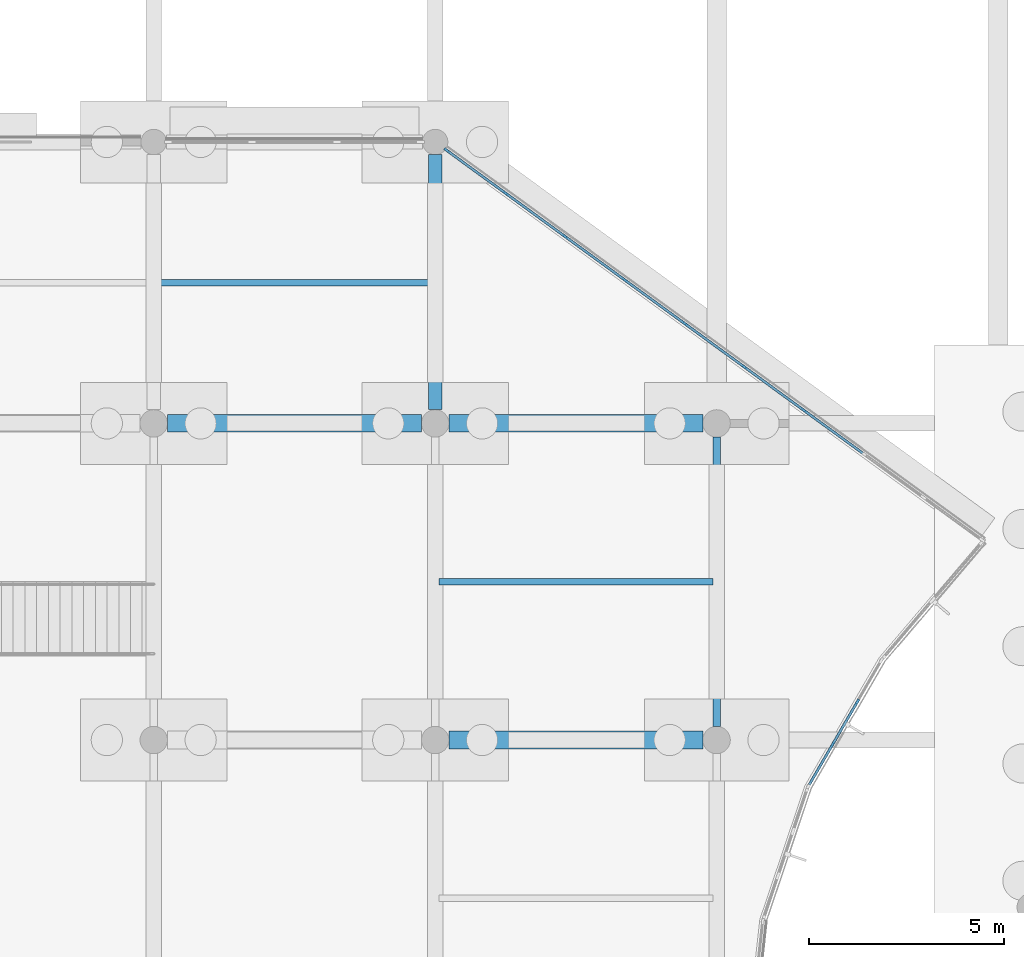
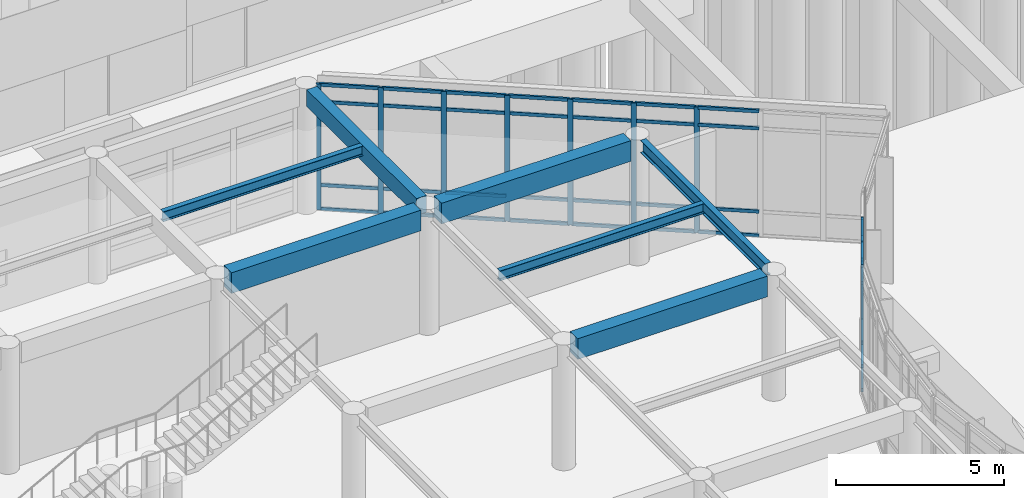
# One storey, part 26 of 103: 45 members, 7 beams, 2 elements without a shape of their own.
"""IFC4 building model written with IfcOpenShell, lengths in metres."""

from ifc_helpers import new_model, si_unit, direction, frame, origin, origin_2d, place, context, subcontext, project, spatial, rectangle, i_section, extrude, material, layer, layer_set, material_profile, profile_set, type_object, element, aggregate, save


model = new_model("IFC4")

# Units and contexts
model_context = context("Model", 3, precision=1e-05, world=origin(), true_north=direction((0.0, 1.0)))
body_context = subcontext(model_context, "Body", "Model", "MODEL_VIEW")
ifc_project = project(units=[si_unit("LENGTHUNIT", "METRE"), si_unit("AREAUNIT", "SQUARE_METRE"), si_unit("VOLUMEUNIT", "CUBIC_METRE"), si_unit("PLANEANGLEUNIT", "RADIAN"), si_unit("MASSUNIT", "GRAM", prefix="KILO")], contexts=[model_context])

# Site, building, storey
site_placement = place(None, origin())
site = spatial("IfcSite", under=ifc_project, at=site_placement, CompositionType="ELEMENT")
building_placement = place(site_placement, origin())
building = spatial("IfcBuilding", under=site, at=building_placement, Name="Namkhue Oval Health Centre", CompositionType="ELEMENT")
storey_placement = place(building_placement, origin())
storey = spatial("IfcBuildingStorey", under=building, at=storey_placement, Name="L00", CompositionType="ELEMENT", Elevation=0.0)

# Curtain wall, members
ifc_material_1 = material(Name="Anodised aluminium EN AW-6063 T6", Category="aluminium")
ifc_layer_1 = layer(ifc_material_1, 0.159912109375)
ifc_layer_set_1 = layer_set([ifc_layer_1], Name="Anodised aluminium EN AW-6063 T6")
curtain_wall_type_1 = type_object("IfcCurtainWallType", Name="UNITISED CURTAIN WALL M1500", PredefinedType="NOTDEFINED", material=ifc_layer_set_1)
curtain_wall_1_placement = place(storey_placement, origin())
curtain_wall_1 = element("IfcCurtainWall", 1, at=curtain_wall_1_placement, inside=storey, type_object=curtain_wall_type_1, Name="Volume V1 L00 Unitised Curtain Wall 9", PredefinedType="NOTDEFINED")
ifc_material_profile_1 = material_profile(ifc_material_1, rectangle(XDim=0.06494140625, YDim=0.159912109375, at=origin_2d()), Name="ALU 65x160")
ifc_profile_set_1 = profile_set([ifc_material_profile_1], Name="Anodised aluminium EN AW-6063 T6")
member_type_1 = type_object("IfcMemberType", Name="CURTAIN WALL MULLION 65X160", PredefinedType="MULLION", material=ifc_profile_set_1)
member_1_placement = place(storey_placement, frame((67.768310546875, 67.38671875, 0.0), z_axis=(0.0, 0.0, 1.0), x_axis=(-0.865008156752, 0.501757798896, 0.0)))
member_1 = element("IfcMember", 2, at=member_1_placement, type_object=member_type_1, Name="CW-03 mullion 2", PredefinedType="MULLION", context=body_context, shape_type="SweptSolid", body=[
    extrude(rectangle(XDim=0.06494140625, YDim=0.159912109375, at=origin_2d()), origin(), (0.0, 0.0, 1.0), 4.56494140625),
])
member_2_placement = place(storey_placement, frame((68.398681640625, 68.473388671875, 0.0), z_axis=(0.0, 0.0, 1.0), x_axis=(-0.865008156752, 0.501757798896, 0.0)))
member_2 = element("IfcMember", 3, at=member_2_placement, type_object=member_type_1, Name="CW-03 mullion 3", PredefinedType="MULLION", context=body_context, shape_type="SweptSolid", body=[
    extrude(rectangle(XDim=0.06494140625, YDim=0.159912109375, at=origin_2d()), origin(), (0.0, 0.0, 1.0), 4.56494140625),
])

ifc_layer_2 = layer(ifc_material_1, 0.159912109375)
ifc_layer_set_2 = layer_set([ifc_layer_2], Name="Anodised aluminium EN AW-6063 T6")
curtain_wall_type_2 = type_object("IfcCurtainWallType", Name="UNITISED CURTAIN WALL M1800", PredefinedType="NOTDEFINED", material=ifc_layer_set_2)
curtain_wall_2_placement = place(storey_placement, origin())
curtain_wall_2 = element("IfcCurtainWall", 4, at=curtain_wall_2_placement, inside=storey, type_object=curtain_wall_type_2, Name="Volume V1 L00 Unitised Curtain Wall 11", PredefinedType="NOTDEFINED")
member_3_placement = place(storey_placement, frame((67.03564453125, 75.932373046875, 0.0), z_axis=(0.0, 0.0, 1.0), x_axis=(-0.588476942894, -0.808513999682, 0.0)))
member_3 = element("IfcMember", 5, at=member_3_placement, type_object=member_type_1, Name="CW-05 mullion 4", PredefinedType="MULLION", context=body_context, shape_type="SweptSolid", body=[
    extrude(rectangle(XDim=0.06494140625, YDim=0.159912109375, at=origin_2d()), origin(), (0.0, 0.0, 1.0), 4.56494140625),
])
member_4_placement = place(storey_placement, frame((65.508056640625, 77.0439453125, 0.0), z_axis=(0.0, 0.0, 1.0), x_axis=(-0.588476942894, -0.808513999682, 0.0)))
member_4 = element("IfcMember", 6, at=member_4_placement, type_object=member_type_1, Name="CW-05 mullion 5", PredefinedType="MULLION", context=body_context, shape_type="SweptSolid", body=[
    extrude(rectangle(XDim=0.06494140625, YDim=0.159912109375, at=origin_2d()), origin(), (0.0, 0.0, 1.0), 4.56494140625),
])
member_5_placement = place(storey_placement, frame((63.980712890625, 78.15576171875, 0.0), z_axis=(0.0, 0.0, 1.0), x_axis=(-0.588476942894, -0.808513999682, 0.0)))
member_5 = element("IfcMember", 7, at=member_5_placement, type_object=member_type_1, Name="CW-05 mullion 6", PredefinedType="MULLION", context=body_context, shape_type="SweptSolid", body=[
    extrude(rectangle(XDim=0.06494140625, YDim=0.159912109375, at=origin_2d()), origin(), (0.0, 0.0, 1.0), 4.56494140625),
])
member_6_placement = place(storey_placement, frame((62.453125, 79.267578125, 0.0), z_axis=(0.0, 0.0, 1.0), x_axis=(-0.588476942894, -0.808513999682, 0.0)))
member_6 = element("IfcMember", 8, at=member_6_placement, type_object=member_type_1, Name="CW-05 mullion 7", PredefinedType="MULLION", context=body_context, shape_type="SweptSolid", body=[
    extrude(rectangle(XDim=0.06494140625, YDim=0.159912109375, at=origin_2d()), origin(), (0.0, 0.0, 1.0), 4.56494140625),
])
member_7_placement = place(storey_placement, frame((60.92578125, 80.37939453125, 0.0), z_axis=(0.0, 0.0, 1.0), x_axis=(-0.588476942894, -0.808513999682, 0.0)))
member_7 = element("IfcMember", 9, at=member_7_placement, type_object=member_type_1, Name="CW-05 mullion 8", PredefinedType="MULLION", context=body_context, shape_type="SweptSolid", body=[
    extrude(rectangle(XDim=0.06494140625, YDim=0.159912109375, at=origin_2d()), origin(), (0.0, 0.0, 1.0), 4.56494140625),
])
member_8_placement = place(storey_placement, frame((59.398193359375, 81.4912109375, 0.0), z_axis=(0.0, 0.0, 1.0), x_axis=(-0.588476942894, -0.808513999682, 0.0)))
member_8 = element("IfcMember", 10, at=member_8_placement, type_object=member_type_1, Name="CW-05 mullion 9", PredefinedType="MULLION", context=body_context, shape_type="SweptSolid", body=[
    extrude(rectangle(XDim=0.06494140625, YDim=0.159912109375, at=origin_2d()), origin(), (0.0, 0.0, 1.0), 4.56494140625),
])
member_9_placement = place(storey_placement, frame((57.89697265625, 82.583740234375, 0.0), z_axis=(0.0, 0.0, 1.0), x_axis=(-0.588476942894, -0.808513999682, 0.0)))
member_9 = element("IfcMember", 11, at=member_9_placement, type_object=member_type_1, Name="CW-05 mullion 10", PredefinedType="MULLION", context=body_context, shape_type="SweptSolid", body=[
    extrude(rectangle(XDim=0.06494140625, YDim=0.159912109375, at=origin_2d()), origin(), (0.0, 0.0, 1.0), 4.56494140625),
])

# Member
ifc_material_profile_2 = material_profile(ifc_material_1, rectangle(XDim=0.06494140625, YDim=0.1201171875, at=origin_2d()), Name="ALU 65x120")
ifc_profile_set_2 = profile_set([ifc_material_profile_2], Name="Anodised aluminium EN AW-6063 T6")
member_type_2 = type_object("IfcMemberType", Name="CURTAIN WALL TRANSOM 65X120", PredefinedType="USERDEFINED", material=ifc_profile_set_2)
member_10_placement = place(storey_placement, frame((67.170654296875, 66.356201171875, 0.032470703125), z_axis=(0.501642415083, 0.865075076158, 0.0), x_axis=(-0.865075076158, 0.501642415083, 0.0)))
member_10 = element("IfcMember", 12, at=member_10_placement, type_object=member_type_2, Name="CW-03 transom 1.1", ObjectType="TRANSOM", PredefinedType="USERDEFINED", context=body_context, shape_type="SweptSolid", body=[
    extrude(rectangle(XDim=0.06494140625, YDim=0.1201171875, at=origin_2d()), origin(), (0.0, 0.0, 1.0), 1.15869140625),
])

member_11_placement = place(storey_placement, frame((67.170654296875, 66.356201171875, 0.89990234375), z_axis=(0.501642415083, 0.865075076158, 0.0), x_axis=(-0.865075076158, 0.501642415083, 0.0)))
member_11 = element("IfcMember", 13, at=member_11_placement, type_object=member_type_2, Name="CW-03 transom 1.2", ObjectType="TRANSOM", PredefinedType="USERDEFINED", context=body_context, shape_type="SweptSolid", body=[
    extrude(rectangle(XDim=0.06494140625, YDim=0.1201171875, at=origin_2d()), origin(), (0.0, 0.0, 1.0), 1.15869140625),
])

member_12_placement = place(storey_placement, frame((67.170654296875, 66.356201171875, 3.9150390625), z_axis=(0.501642415083, 0.865075076158, 0.0), x_axis=(-0.865075076158, 0.501642415083, 0.0)))
member_12 = element("IfcMember", 14, at=member_12_placement, type_object=member_type_2, Name="CW-03 transom 1.3", ObjectType="TRANSOM", PredefinedType="USERDEFINED", context=body_context, shape_type="SweptSolid", body=[
    extrude(rectangle(XDim=0.06494140625, YDim=0.1201171875, at=origin_2d()), origin(), (0.0, 0.0, 1.0), 1.15869140625),
])

member_13_placement = place(storey_placement, frame((67.170654296875, 66.356201171875, 4.532470703125), z_axis=(0.501642415083, 0.865075076158, 0.0), x_axis=(-0.865075076158, 0.501642415083, 0.0)))
member_13 = element("IfcMember", 15, at=member_13_placement, type_object=member_type_2, Name="CW-03 transom 1.4", ObjectType="TRANSOM", PredefinedType="USERDEFINED", context=body_context, shape_type="SweptSolid", body=[
    extrude(rectangle(XDim=0.06494140625, YDim=0.1201171875, at=origin_2d()), origin(), (0.0, 0.0, 1.0), 1.15869140625),
])

member_14_placement = place(storey_placement, frame((67.78466796875, 67.414794921875, 0.032470703125), z_axis=(0.501690486249, 0.865047198716, 0.0), x_axis=(-0.865047198716, 0.501690486249, 0.0)))
member_14 = element("IfcMember", 16, at=member_14_placement, type_object=member_type_2, Name="CW-03 transom 2.1", ObjectType="TRANSOM", PredefinedType="USERDEFINED", context=body_context, shape_type="SweptSolid", body=[
    extrude(rectangle(XDim=0.06494140625, YDim=0.1201171875, at=origin_2d()), origin(), (0.0, 0.0, 1.0), 1.19140625),
])

member_15_placement = place(storey_placement, frame((67.78466796875, 67.414794921875, 0.89990234375), z_axis=(0.501690486249, 0.865047198716, 0.0), x_axis=(-0.865047198716, 0.501690486249, 0.0)))
member_15 = element("IfcMember", 17, at=member_15_placement, type_object=member_type_2, Name="CW-03 transom 2.2", ObjectType="TRANSOM", PredefinedType="USERDEFINED", context=body_context, shape_type="SweptSolid", body=[
    extrude(rectangle(XDim=0.06494140625, YDim=0.1201171875, at=origin_2d()), origin(), (0.0, 0.0, 1.0), 1.19140625),
])

member_16_placement = place(storey_placement, frame((67.78466796875, 67.414794921875, 3.9150390625), z_axis=(0.501690486249, 0.865047198716, 0.0), x_axis=(-0.865047198716, 0.501690486249, 0.0)))
member_16 = element("IfcMember", 18, at=member_16_placement, type_object=member_type_2, Name="CW-03 transom 2.3", ObjectType="TRANSOM", PredefinedType="USERDEFINED", context=body_context, shape_type="SweptSolid", body=[
    extrude(rectangle(XDim=0.06494140625, YDim=0.1201171875, at=origin_2d()), origin(), (0.0, 0.0, 1.0), 1.19140625),
])

member_17_placement = place(storey_placement, frame((67.78466796875, 67.414794921875, 4.532470703125), z_axis=(0.501690486249, 0.865047198716, 0.0), x_axis=(-0.865047198716, 0.501690486249, 0.0)))
member_17 = element("IfcMember", 19, at=member_17_placement, type_object=member_type_2, Name="CW-03 transom 2.4", ObjectType="TRANSOM", PredefinedType="USERDEFINED", context=body_context, shape_type="SweptSolid", body=[
    extrude(rectangle(XDim=0.06494140625, YDim=0.1201171875, at=origin_2d()), origin(), (0.0, 0.0, 1.0), 1.19140625),
])

aggregate(curtain_wall_1, [member_1, member_2, member_10, member_11, member_12, member_13, member_14, member_15, member_16, member_17])

member_18_placement = place(storey_placement, frame((68.536865234375, 74.839599609375, 0.032470703125), z_axis=(-0.808556651954, 0.588418338074, 0.0), x_axis=(-0.588418338074, -0.808556651954, 0.0)))
member_18 = element("IfcMember", 20, at=member_18_placement, type_object=member_type_2, Name="CW-05 transom 3.1", ObjectType="TRANSOM", PredefinedType="USERDEFINED", context=body_context, shape_type="SweptSolid", body=[
    extrude(rectangle(XDim=0.06494140625, YDim=0.1201171875, at=origin_2d()), origin(), (0.0, 0.0, 1.0), 1.824462890625),
])

member_19_placement = place(storey_placement, frame((68.536865234375, 74.839599609375, 0.89990234375), z_axis=(-0.808556651954, 0.588418338074, 0.0), x_axis=(-0.588418338074, -0.808556651954, 0.0)))
member_19 = element("IfcMember", 21, at=member_19_placement, type_object=member_type_2, Name="CW-05 transom 3.2", ObjectType="TRANSOM", PredefinedType="USERDEFINED", context=body_context, shape_type="SweptSolid", body=[
    extrude(rectangle(XDim=0.06494140625, YDim=0.1201171875, at=origin_2d()), origin(), (0.0, 0.0, 1.0), 1.824462890625),
])

member_20_placement = place(storey_placement, frame((68.536865234375, 74.839599609375, 3.9150390625), z_axis=(-0.808556651954, 0.588418338074, 0.0), x_axis=(-0.588418338074, -0.808556651954, 0.0)))
member_20 = element("IfcMember", 22, at=member_20_placement, type_object=member_type_2, Name="CW-05 transom 3.3", ObjectType="TRANSOM", PredefinedType="USERDEFINED", context=body_context, shape_type="SweptSolid", body=[
    extrude(rectangle(XDim=0.06494140625, YDim=0.1201171875, at=origin_2d()), origin(), (0.0, 0.0, 1.0), 1.824462890625),
])

member_21_placement = place(storey_placement, frame((68.536865234375, 74.839599609375, 4.532470703125), z_axis=(-0.808556651954, 0.588418338074, 0.0), x_axis=(-0.588418338074, -0.808556651954, 0.0)))
member_21 = element("IfcMember", 23, at=member_21_placement, type_object=member_type_2, Name="CW-05 transom 3.4", ObjectType="TRANSOM", PredefinedType="USERDEFINED", context=body_context, shape_type="SweptSolid", body=[
    extrude(rectangle(XDim=0.06494140625, YDim=0.1201171875, at=origin_2d()), origin(), (0.0, 0.0, 1.0), 1.824462890625),
])

member_22_placement = place(storey_placement, frame((67.00927734375, 75.951416015625, 0.032470703125), z_axis=(-0.808510310183, 0.588482011898, 0.0), x_axis=(-0.588482011898, -0.808510310183, 0.0)))
member_22 = element("IfcMember", 24, at=member_22_placement, type_object=member_type_2, Name="CW-05 transom 4.1", ObjectType="TRANSOM", PredefinedType="USERDEFINED", context=body_context, shape_type="SweptSolid", body=[
    extrude(rectangle(XDim=0.06494140625, YDim=0.1201171875, at=origin_2d()), origin(), (0.0, 0.0, 1.0), 1.82421875),
])

member_23_placement = place(storey_placement, frame((67.00927734375, 75.951416015625, 0.89990234375), z_axis=(-0.808510310183, 0.588482011898, 0.0), x_axis=(-0.588482011898, -0.808510310183, 0.0)))
member_23 = element("IfcMember", 25, at=member_23_placement, type_object=member_type_2, Name="CW-05 transom 4.2", ObjectType="TRANSOM", PredefinedType="USERDEFINED", context=body_context, shape_type="SweptSolid", body=[
    extrude(rectangle(XDim=0.06494140625, YDim=0.1201171875, at=origin_2d()), origin(), (0.0, 0.0, 1.0), 1.82421875),
])

member_24_placement = place(storey_placement, frame((67.00927734375, 75.951416015625, 3.9150390625), z_axis=(-0.808510310183, 0.588482011898, 0.0), x_axis=(-0.588482011898, -0.808510310183, 0.0)))
member_24 = element("IfcMember", 26, at=member_24_placement, type_object=member_type_2, Name="CW-05 transom 4.3", ObjectType="TRANSOM", PredefinedType="USERDEFINED", context=body_context, shape_type="SweptSolid", body=[
    extrude(rectangle(XDim=0.06494140625, YDim=0.1201171875, at=origin_2d()), origin(), (0.0, 0.0, 1.0), 1.82421875),
])

member_25_placement = place(storey_placement, frame((67.00927734375, 75.951416015625, 4.532470703125), z_axis=(-0.808510310183, 0.588482011898, 0.0), x_axis=(-0.588482011898, -0.808510310183, 0.0)))
member_25 = element("IfcMember", 27, at=member_25_placement, type_object=member_type_2, Name="CW-05 transom 4.4", ObjectType="TRANSOM", PredefinedType="USERDEFINED", context=body_context, shape_type="SweptSolid", body=[
    extrude(rectangle(XDim=0.06494140625, YDim=0.1201171875, at=origin_2d()), origin(), (0.0, 0.0, 1.0), 1.82421875),
])

member_26_placement = place(storey_placement, frame((65.48193359375, 77.063232421875, 0.032470703125), z_axis=(-0.808556651954, 0.588418338074, 0.0), x_axis=(-0.588418338074, -0.808556651954, 0.0)))
member_26 = element("IfcMember", 28, at=member_26_placement, type_object=member_type_2, Name="CW-05 transom 5.1", ObjectType="TRANSOM", PredefinedType="USERDEFINED", context=body_context, shape_type="SweptSolid", body=[
    extrude(rectangle(XDim=0.06494140625, YDim=0.1201171875, at=origin_2d()), origin(), (0.0, 0.0, 1.0), 1.824462890625),
])

member_27_placement = place(storey_placement, frame((65.48193359375, 77.063232421875, 0.89990234375), z_axis=(-0.808556651954, 0.588418338074, 0.0), x_axis=(-0.588418338074, -0.808556651954, 0.0)))
member_27 = element("IfcMember", 29, at=member_27_placement, type_object=member_type_2, Name="CW-05 transom 5.2", ObjectType="TRANSOM", PredefinedType="USERDEFINED", context=body_context, shape_type="SweptSolid", body=[
    extrude(rectangle(XDim=0.06494140625, YDim=0.1201171875, at=origin_2d()), origin(), (0.0, 0.0, 1.0), 1.824462890625),
])

member_28_placement = place(storey_placement, frame((65.48193359375, 77.063232421875, 3.9150390625), z_axis=(-0.808556651954, 0.588418338074, 0.0), x_axis=(-0.588418338074, -0.808556651954, 0.0)))
member_28 = element("IfcMember", 30, at=member_28_placement, type_object=member_type_2, Name="CW-05 transom 5.3", ObjectType="TRANSOM", PredefinedType="USERDEFINED", context=body_context, shape_type="SweptSolid", body=[
    extrude(rectangle(XDim=0.06494140625, YDim=0.1201171875, at=origin_2d()), origin(), (0.0, 0.0, 1.0), 1.824462890625),
])

member_29_placement = place(storey_placement, frame((65.48193359375, 77.063232421875, 4.532470703125), z_axis=(-0.808556651954, 0.588418338074, 0.0), x_axis=(-0.588418338074, -0.808556651954, 0.0)))
member_29 = element("IfcMember", 31, at=member_29_placement, type_object=member_type_2, Name="CW-05 transom 5.4", ObjectType="TRANSOM", PredefinedType="USERDEFINED", context=body_context, shape_type="SweptSolid", body=[
    extrude(rectangle(XDim=0.06494140625, YDim=0.1201171875, at=origin_2d()), origin(), (0.0, 0.0, 1.0), 1.824462890625),
])

member_30_placement = place(storey_placement, frame((63.954345703125, 78.175048828125, 0.032470703125), z_axis=(-0.808510310183, 0.588482011898, 0.0), x_axis=(-0.588482011898, -0.808510310183, 0.0)))
member_30 = element("IfcMember", 32, at=member_30_placement, type_object=member_type_2, Name="CW-05 transom 6.1", ObjectType="TRANSOM", PredefinedType="USERDEFINED", context=body_context, shape_type="SweptSolid", body=[
    extrude(rectangle(XDim=0.06494140625, YDim=0.1201171875, at=origin_2d()), origin(), (0.0, 0.0, 1.0), 1.82421875),
])

member_31_placement = place(storey_placement, frame((63.954345703125, 78.175048828125, 0.89990234375), z_axis=(-0.808510310183, 0.588482011898, 0.0), x_axis=(-0.588482011898, -0.808510310183, 0.0)))
member_31 = element("IfcMember", 33, at=member_31_placement, type_object=member_type_2, Name="CW-05 transom 6.2", ObjectType="TRANSOM", PredefinedType="USERDEFINED", context=body_context, shape_type="SweptSolid", body=[
    extrude(rectangle(XDim=0.06494140625, YDim=0.1201171875, at=origin_2d()), origin(), (0.0, 0.0, 1.0), 1.82421875),
])

member_32_placement = place(storey_placement, frame((63.954345703125, 78.175048828125, 3.9150390625), z_axis=(-0.808510310183, 0.588482011898, 0.0), x_axis=(-0.588482011898, -0.808510310183, 0.0)))
member_32 = element("IfcMember", 34, at=member_32_placement, type_object=member_type_2, Name="CW-05 transom 6.3", ObjectType="TRANSOM", PredefinedType="USERDEFINED", context=body_context, shape_type="SweptSolid", body=[
    extrude(rectangle(XDim=0.06494140625, YDim=0.1201171875, at=origin_2d()), origin(), (0.0, 0.0, 1.0), 1.82421875),
])

member_33_placement = place(storey_placement, frame((63.954345703125, 78.175048828125, 4.532470703125), z_axis=(-0.808510310183, 0.588482011898, 0.0), x_axis=(-0.588482011898, -0.808510310183, 0.0)))
member_33 = element("IfcMember", 35, at=member_33_placement, type_object=member_type_2, Name="CW-05 transom 6.4", ObjectType="TRANSOM", PredefinedType="USERDEFINED", context=body_context, shape_type="SweptSolid", body=[
    extrude(rectangle(XDim=0.06494140625, YDim=0.1201171875, at=origin_2d()), origin(), (0.0, 0.0, 1.0), 1.82421875),
])

member_34_placement = place(storey_placement, frame((62.427001953125, 79.28662109375, 0.032470703125), z_axis=(-0.808492983475, 0.588505816174, 0.0), x_axis=(-0.588505816174, -0.808492983475, 0.0)))
member_34 = element("IfcMember", 36, at=member_34_placement, type_object=member_type_2, Name="CW-05 transom 7.1", ObjectType="TRANSOM", PredefinedType="USERDEFINED", context=body_context, shape_type="SweptSolid", body=[
    extrude(rectangle(XDim=0.06494140625, YDim=0.1201171875, at=origin_2d()), origin(), (0.0, 0.0, 1.0), 1.824462890625),
])

member_35_placement = place(storey_placement, frame((62.427001953125, 79.28662109375, 0.89990234375), z_axis=(-0.808492983475, 0.588505816174, 0.0), x_axis=(-0.588505816174, -0.808492983475, 0.0)))
member_35 = element("IfcMember", 37, at=member_35_placement, type_object=member_type_2, Name="CW-05 transom 7.2", ObjectType="TRANSOM", PredefinedType="USERDEFINED", context=body_context, shape_type="SweptSolid", body=[
    extrude(rectangle(XDim=0.06494140625, YDim=0.1201171875, at=origin_2d()), origin(), (0.0, 0.0, 1.0), 1.824462890625),
])

member_36_placement = place(storey_placement, frame((62.427001953125, 79.28662109375, 3.9150390625), z_axis=(-0.808492983475, 0.588505816174, 0.0), x_axis=(-0.588505816174, -0.808492983475, 0.0)))
member_36 = element("IfcMember", 38, at=member_36_placement, type_object=member_type_2, Name="CW-05 transom 7.3", ObjectType="TRANSOM", PredefinedType="USERDEFINED", context=body_context, shape_type="SweptSolid", body=[
    extrude(rectangle(XDim=0.06494140625, YDim=0.1201171875, at=origin_2d()), origin(), (0.0, 0.0, 1.0), 1.824462890625),
])

member_37_placement = place(storey_placement, frame((62.427001953125, 79.28662109375, 4.532470703125), z_axis=(-0.808492983475, 0.588505816174, 0.0), x_axis=(-0.588505816174, -0.808492983475, 0.0)))
member_37 = element("IfcMember", 39, at=member_37_placement, type_object=member_type_2, Name="CW-05 transom 7.4", ObjectType="TRANSOM", PredefinedType="USERDEFINED", context=body_context, shape_type="SweptSolid", body=[
    extrude(rectangle(XDim=0.06494140625, YDim=0.1201171875, at=origin_2d()), origin(), (0.0, 0.0, 1.0), 1.824462890625),
])

member_38_placement = place(storey_placement, frame((60.8994140625, 80.3984375, 0.032470703125), z_axis=(-0.808510310183, 0.588482011898, 0.0), x_axis=(-0.588482011898, -0.808510310183, 0.0)))
member_38 = element("IfcMember", 40, at=member_38_placement, type_object=member_type_2, Name="CW-05 transom 8.1", ObjectType="TRANSOM", PredefinedType="USERDEFINED", context=body_context, shape_type="SweptSolid", body=[
    extrude(rectangle(XDim=0.06494140625, YDim=0.1201171875, at=origin_2d()), origin(), (0.0, 0.0, 1.0), 1.82421875),
])

member_39_placement = place(storey_placement, frame((60.8994140625, 80.3984375, 0.89990234375), z_axis=(-0.808510310183, 0.588482011898, 0.0), x_axis=(-0.588482011898, -0.808510310183, 0.0)))
member_39 = element("IfcMember", 41, at=member_39_placement, type_object=member_type_2, Name="CW-05 transom 8.2", ObjectType="TRANSOM", PredefinedType="USERDEFINED", context=body_context, shape_type="SweptSolid", body=[
    extrude(rectangle(XDim=0.06494140625, YDim=0.1201171875, at=origin_2d()), origin(), (0.0, 0.0, 1.0), 1.82421875),
])

member_40_placement = place(storey_placement, frame((60.8994140625, 80.3984375, 3.9150390625), z_axis=(-0.808510310183, 0.588482011898, 0.0), x_axis=(-0.588482011898, -0.808510310183, 0.0)))
member_40 = element("IfcMember", 42, at=member_40_placement, type_object=member_type_2, Name="CW-05 transom 8.3", ObjectType="TRANSOM", PredefinedType="USERDEFINED", context=body_context, shape_type="SweptSolid", body=[
    extrude(rectangle(XDim=0.06494140625, YDim=0.1201171875, at=origin_2d()), origin(), (0.0, 0.0, 1.0), 1.82421875),
])

member_41_placement = place(storey_placement, frame((60.8994140625, 80.3984375, 4.532470703125), z_axis=(-0.808510310183, 0.588482011898, 0.0), x_axis=(-0.588482011898, -0.808510310183, 0.0)))
member_41 = element("IfcMember", 43, at=member_41_placement, type_object=member_type_2, Name="CW-05 transom 8.4", ObjectType="TRANSOM", PredefinedType="USERDEFINED", context=body_context, shape_type="SweptSolid", body=[
    extrude(rectangle(XDim=0.06494140625, YDim=0.1201171875, at=origin_2d()), origin(), (0.0, 0.0, 1.0), 1.82421875),
])

member_42_placement = place(storey_placement, frame((59.3720703125, 81.51025390625, 0.032470703125), z_axis=(-0.808518025914, 0.588471411177, 0.0), x_axis=(-0.588471411177, -0.808518025914, 0.0)))
member_42 = element("IfcMember", 44, at=member_42_placement, type_object=member_type_2, Name="CW-05 transom 9.1", ObjectType="TRANSOM", PredefinedType="USERDEFINED", context=body_context, shape_type="SweptSolid", body=[
    extrude(rectangle(XDim=0.06494140625, YDim=0.1201171875, at=origin_2d()), origin(), (0.0, 0.0, 1.0), 1.791748046875),
])

member_43_placement = place(storey_placement, frame((59.3720703125, 81.51025390625, 0.89990234375), z_axis=(-0.808518025914, 0.588471411177, 0.0), x_axis=(-0.588471411177, -0.808518025914, 0.0)))
member_43 = element("IfcMember", 45, at=member_43_placement, type_object=member_type_2, Name="CW-05 transom 9.2", ObjectType="TRANSOM", PredefinedType="USERDEFINED", context=body_context, shape_type="SweptSolid", body=[
    extrude(rectangle(XDim=0.06494140625, YDim=0.1201171875, at=origin_2d()), origin(), (0.0, 0.0, 1.0), 1.791748046875),
])

member_44_placement = place(storey_placement, frame((59.3720703125, 81.51025390625, 3.9150390625), z_axis=(-0.808518025914, 0.588471411177, 0.0), x_axis=(-0.588471411177, -0.808518025914, 0.0)))
member_44 = element("IfcMember", 46, at=member_44_placement, type_object=member_type_2, Name="CW-05 transom 9.3", ObjectType="TRANSOM", PredefinedType="USERDEFINED", context=body_context, shape_type="SweptSolid", body=[
    extrude(rectangle(XDim=0.06494140625, YDim=0.1201171875, at=origin_2d()), origin(), (0.0, 0.0, 1.0), 1.791748046875),
])

member_45_placement = place(storey_placement, frame((59.3720703125, 81.51025390625, 4.532470703125), z_axis=(-0.808518025914, 0.588471411177, 0.0), x_axis=(-0.588471411177, -0.808518025914, 0.0)))
member_45 = element("IfcMember", 47, at=member_45_placement, type_object=member_type_2, Name="CW-05 transom 9.4", ObjectType="TRANSOM", PredefinedType="USERDEFINED", context=body_context, shape_type="SweptSolid", body=[
    extrude(rectangle(XDim=0.06494140625, YDim=0.1201171875, at=origin_2d()), origin(), (0.0, 0.0, 1.0), 1.791748046875),
])

aggregate(curtain_wall_2, [member_3, member_4, member_5, member_6, member_7, member_8, member_9, member_18, member_19, member_20, member_21, member_22, member_23, member_24, member_25, member_26, member_27, member_28, member_29, member_30, member_31, member_32, member_33, member_34, member_35, member_36, member_37, member_38, member_39, member_40, member_41, member_42, member_43, member_44, member_45])

# Beams
ifc_material_2 = material(Name="Reinforced concrete C30/37 (TCVN B35)", Category="concrete")
ifc_material_profile_3 = material_profile(ifc_material_2, rectangle(XDim=0.35009765625, YDim=0.60009765625, at=origin_2d()), Name="RC 350x600")
ifc_profile_set_3 = profile_set([ifc_material_profile_3], Name="Reinforced concrete C30/37 (TCVN B35)")
beam_type_1 = type_object("IfcBeamType", Name="FLOOR BEAM RC 350X600", PredefinedType="BEAM", material=ifc_profile_set_3)
beam_1_placement = place(storey_placement, frame((57.60009765625, 75.949951171875, 4.264892578125), z_axis=(0.0, 1.0, 0.0), x_axis=(-1.0, 0.0, 0.0)))
element("IfcBeam", 48, at=beam_1_placement, inside=storey, type_object=beam_type_1, Name="Volume V1 L01 Beam 9/L-M", PredefinedType="BEAM", context=body_context, shape_type="SweptSolid", body=[
    extrude(rectangle(XDim=0.35009765625, YDim=0.60009765625, at=origin_2d()), origin(), (0.0, 0.0, 1.0), 6.525146484375),
])
ifc_material_3 = material(Name="Structural steel EN 10025-2 S355JR (TCVN 5575:2024)", Category="steel")
ifc_material_profile_4 = material_profile(ifc_material_3, i_section(OverallWidth=0.18994140625, OverallDepth=0.449951171875, WebThickness=0.009521484375, FlangeThickness=0.0146484375, FilletRadius=0.02099609375, at=origin_2d()), Name="IPE 450")
ifc_profile_set_4 = profile_set([ifc_material_profile_4], Name="Structural steel EN 10025-2 S355JR (TCVN 5575:2024)")
beam_type_2 = type_object("IfcBeamType", Name="FLOOR BEAM STEEL IPE 450", PredefinedType="BEAM", material=ifc_profile_set_4)
beam_2_placement = place(storey_placement, frame((64.800048828125, 67.85009765625, 4.340087890625), z_axis=(0.0, 1.0, 0.0), x_axis=(-1.0, 0.0, 0.0)))
element("IfcBeam", 49, at=beam_2_placement, inside=storey, type_object=beam_type_2, Name="Volume V1 L01 Beam 10/K-L", PredefinedType="BEAM", context=body_context, shape_type="SweptSolid", body=[
    extrude(i_section(OverallWidth=0.18994140625, OverallDepth=0.449951171875, WebThickness=0.009521484375, FlangeThickness=0.0146484375, FilletRadius=0.02099609375, at=origin_2d()), origin(), (0.0, 0.0, 1.0), 7.39990234375),
])
ifc_material_4 = material(Name="Reinforced concrete C35/45 (TCVN B40)", Category="concrete")
ifc_material_profile_5 = material_profile(ifc_material_4, rectangle(XDim=0.449951171875, YDim=0.75, at=origin_2d()), Name="RC 450x750")
ifc_profile_set_5 = profile_set([ifc_material_profile_5], Name="Reinforced concrete C35/45 (TCVN B40)")
beam_type_3 = type_object("IfcBeamType", Name="PRIMARY GIRDER RC 450X750", PredefinedType="USERDEFINED", material=ifc_profile_set_5)
for number, where, z_axis, x_axis, name in (
    (50, (57.949951171875, 67.5, 4.18994140625), (1.0, 0.0, 0.0), (0.0, 1.0, 0.0), "Volume V1 L01 Girder K/9-10"),
    (51, (50.75, 75.60009765625, 4.18994140625), (1.0, 0.0, 0.0), (0.0, 1.0, 0.0), "Volume V1 L01 Girder L/8-9"),
    (52, (57.949951171875, 75.60009765625, 4.18994140625), (1.0, 0.0, 0.0), (0.0, 1.0, 0.0), "Volume V1 L01 Girder L/9-10"),
):
    element("IfcBeam", number, at=place(storey_placement, frame(where, z_axis=z_axis, x_axis=x_axis)), inside=storey, type_object=beam_type_3, Name=name, ObjectType="GIRDER", PredefinedType="USERDEFINED", context=body_context, shape_type="SweptSolid", body=[
        extrude(rectangle(XDim=0.449951171875, YDim=0.75, at=origin_2d()), origin(), (0.0, 0.0, 1.0), 6.5),
    ])
ifc_material_profile_6 = material_profile(ifc_material_3, i_section(OverallWidth=0.169921875, OverallDepth=0.360107421875, WebThickness=0.008056640625, FlangeThickness=0.0126953125, FilletRadius=0.01806640625, at=origin_2d()), Name="IPE 360")
ifc_profile_set_6 = profile_set([ifc_material_profile_6], Name="Structural steel EN 10025-2 S355JR (TCVN 5575:2024)")
beam_type_4 = type_object("IfcBeamType", Name="SECONDARY JOIST STEEL IPE 360", PredefinedType="JOIST", material=ifc_profile_set_6)
beam_3_placement = place(storey_placement, frame((50.574951171875, 79.199951171875, 4.385009765625), z_axis=(1.0, 0.0, 0.0), x_axis=(0.0, 1.0, 0.0)))
element("IfcBeam", 53, at=beam_3_placement, inside=storey, type_object=beam_type_4, Name="Volume V1 L01 Secondary Joist 8-9", PredefinedType="JOIST", context=body_context, shape_type="SweptSolid", body=[
    extrude(i_section(OverallWidth=0.169921875, OverallDepth=0.360107421875, WebThickness=0.008056640625, FlangeThickness=0.0126953125, FilletRadius=0.01806640625, at=origin_2d()), origin(), (0.0, 0.0, 1.0), 6.85009765625),
])
beam_4_placement = place(storey_placement, frame((57.695068359375, 71.550048828125, 4.385009765625), z_axis=(1.0, 0.0, 0.0), x_axis=(0.0, 1.0, 0.0)))
element("IfcBeam", 54, at=beam_4_placement, inside=storey, type_object=beam_type_4, Name="Volume V1 L01 Secondary Joist 9-10", PredefinedType="JOIST", context=body_context, shape_type="SweptSolid", body=[
    extrude(i_section(OverallWidth=0.169921875, OverallDepth=0.360107421875, WebThickness=0.008056640625, FlangeThickness=0.0126953125, FilletRadius=0.01806640625, at=origin_2d()), origin(), (0.0, 0.0, 1.0), 7.010009765625),
])

save(model, "model.ifc")
